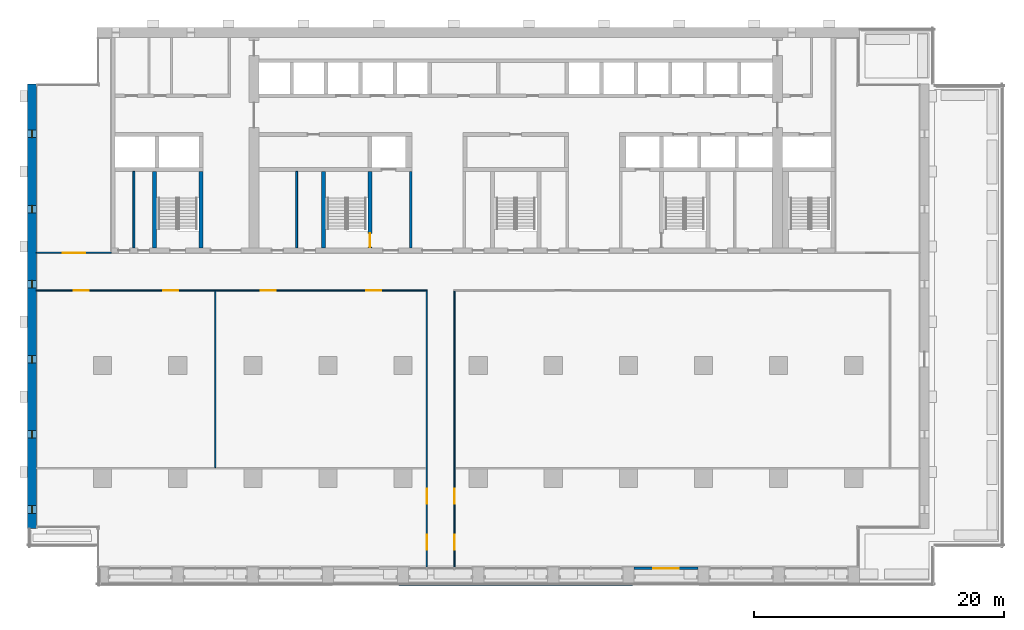
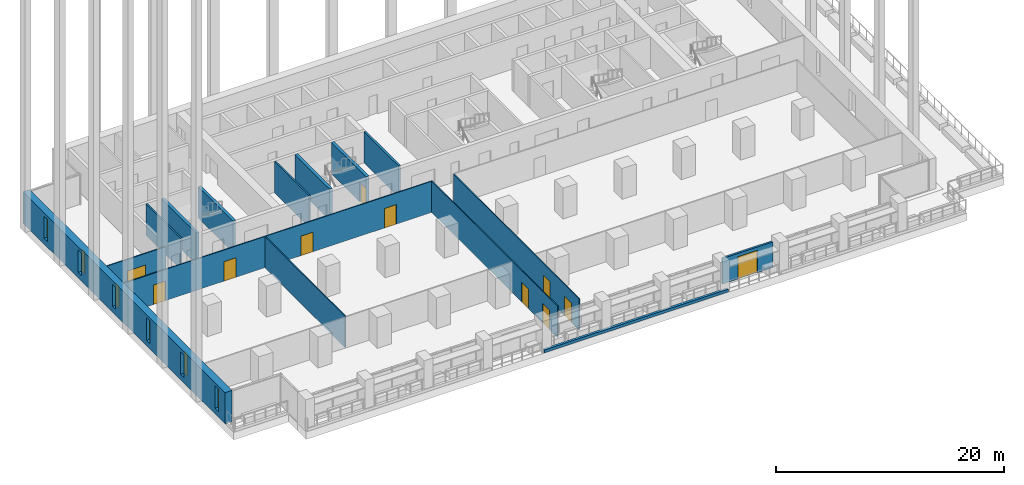
# One storey, part 8 of 18: 15 walls, 11 doors, 6 windows, 17 openings.
"""IFC4 building model written with IfcOpenShell, lengths in metres."""

from ifc_helpers import new_model, si_unit, direction, frame, frame_2d, origin, place, context, subcontext, project, spatial, rectangle, extrude, material, layer, layer_set, type_object, element, fill, save


model = new_model("IFC4")

# Units and contexts
model_context = context("Model", 3, precision=1e-05, world=origin(), true_north=direction((0.0, 1.0)))
body_context = subcontext(model_context, "Body", "Model", "MODEL_VIEW")
ifc_project = project(units=[si_unit("LENGTHUNIT", "METRE"), si_unit("AREAUNIT", "SQUARE_METRE"), si_unit("VOLUMEUNIT", "CUBIC_METRE"), si_unit("PLANEANGLEUNIT", "RADIAN"), si_unit("MASSUNIT", "GRAM", prefix="KILO")], contexts=[model_context])

# Site, building, storey
site_placement = place(None, origin())
site = spatial("IfcSite", under=ifc_project, at=site_placement, CompositionType="ELEMENT")
building_placement = place(site_placement, origin())
building = spatial("IfcBuilding", under=site, at=building_placement, Name="Calvaro Tower", CompositionType="ELEMENT")
storey_placement = place(building_placement, frame((0.0, 0.0, 95.0)))
storey = spatial("IfcBuildingStorey", under=building, at=storey_placement, Name="L23", CompositionType="ELEMENT", Elevation=95.0)

# Walls
ifc_material_1 = material(Name="Blockwork partition", Category="masonry")
ifc_layer_1 = layer(ifc_material_1, 0.14990234375)
ifc_layer_set_1 = layer_set([ifc_layer_1], Name="Blockwork partition")
wall_type_1 = type_object("IfcWallType", Name="Core partition 150 EI 60", PredefinedType="PARTITIONING", material=ifc_layer_set_1)
wall_1_placement = place(storey_placement, frame((8.5, 28.39990234375, 0.0), z_axis=(0.0, 0.0, 1.0), x_axis=(0.0, 1.0, 0.0)))
element("IfcWall", 1, at=wall_1_placement, inside=storey, type_object=wall_type_1, Name="Core partition", PredefinedType="PARTITIONING", context=body_context, shape_type="SweptSolid", body=[
    extrude(rectangle(XDim=6.10009765625, YDim=0.14990234375, at=frame_2d((3.050048828125, 0.0))), origin(), (0.0, 0.0, 1.0), 3.35009765625),
])
ifc_material_2 = material(Name="Blockwork partition", Category="masonry")
ifc_layer_2 = layer(ifc_material_2, 0.14990234375)
ifc_layer_set_2 = layer_set([ifc_layer_2], Name="Blockwork partition")
wall_type_2 = type_object("IfcWallType", Name="Core partition 150 REI 120", PredefinedType="PARTITIONING", material=ifc_layer_set_2)
wall_2_placement = place(storey_placement, frame((21.5, 28.39990234375, 0.0), z_axis=(0.0, 0.0, 1.0), x_axis=(0.0, 1.0, 0.0)))
element("IfcWall", 2, at=wall_2_placement, inside=storey, type_object=wall_type_2, Name="Core partition", PredefinedType="PARTITIONING", context=body_context, shape_type="SweptSolid", body=[
    extrude(rectangle(XDim=6.10009765625, YDim=0.14990234375, at=frame_2d((3.050048828125, 0.0))), origin(), (0.0, 0.0, 1.0), 3.35009765625),
])
ifc_material_3 = material(Name="Blockwork partition", Category="masonry")
ifc_layer_3 = layer(ifc_material_3, 0.199951171875)
ifc_layer_set_3 = layer_set([ifc_layer_3], Name="Blockwork partition")
wall_type_3 = type_object("IfcWallType", Name="Core partition 200 REI 120", PredefinedType="PARTITIONING", material=ifc_layer_set_3)
wall_3_placement = place(storey_placement, frame((30.60009765625, 28.39990234375, 0.0), z_axis=(0.0, 0.0, 1.0), x_axis=(0.0, 1.0, 0.0)))
element("IfcWall", 3, at=wall_3_placement, inside=storey, type_object=wall_type_3, Name="Core partition", PredefinedType="PARTITIONING", context=body_context, shape_type="SweptSolid", body=[
    extrude(rectangle(XDim=6.10009765625, YDim=0.199951171875, at=frame_2d((3.050048828125, 0.0))), origin(), (0.0, 0.0, 1.0), 3.35009765625),
])
ifc_material_4 = material(Name="Concrete C60/75", Category="concrete")
ifc_layer_4 = layer(ifc_material_4, 0.300048828125)
ifc_layer_set_4 = layer_set([ifc_layer_4], Name="Concrete C60/75")
wall_type_4 = type_object("IfcWallType", Name="Core wall C60/75 300", PredefinedType="SHEAR", material=ifc_layer_set_4)
for number, where, z_axis, x_axis, name in (
    (4, (10.14990234375, 28.39990234375, 0.0), (0.0, 0.0, 1.0), (0.0, 1.0, 0.0), "Core wall, stair enclosure"),
    (5, (13.85009765625, 28.39990234375, 0.0), (0.0, 0.0, 1.0), (0.0, 1.0, 0.0), "Core wall, stair enclosure"),
    (6, (23.64990234375, 28.39990234375, 0.0), (0.0, 0.0, 1.0), (0.0, 1.0, 0.0), "Core wall, stair enclosure"),
):
    element("IfcWall", number, at=place(storey_placement, frame(where, z_axis=z_axis, x_axis=x_axis)), inside=storey, type_object=wall_type_4, Name=name, PredefinedType="SHEAR", context=body_context, shape_type="SweptSolid", body=[
        extrude(rectangle(XDim=6.10009765625, YDim=0.300048828125, at=frame_2d((3.050048828125, 0.0))), origin(), (0.0, 0.0, 1.0), 3.35009765625),
    ])

# Wall, opening, door
wall_4_placement = place(storey_placement, frame((27.35009765625, 28.39990234375, 0.0), z_axis=(0.0, 0.0, 1.0), x_axis=(0.0, 1.0, 0.0)))
wall_4 = element("IfcWall", 7, at=wall_4_placement, inside=storey, type_object=wall_type_4, Name="Core wall, stair enclosure", PredefinedType="SHEAR", context=body_context, shape_type="SweptSolid", body=[
    extrude(rectangle(XDim=6.10009765625, YDim=0.300048828125, at=frame_2d((3.050048828125, 0.0))), origin(), (0.0, 0.0, 1.0), 3.35009765625),
])
opening_1_placement = place(wall_4_placement, frame((0.050048828125, 0.0, 0.0)))
opening_1 = element("IfcOpeningElement", 8, at=opening_1_placement, cuts=wall_4, Name="Opening FD11D", PredefinedType="OPENING", context=body_context, shape_type="SweptSolid", body=[
    extrude(rectangle(XDim=1.10009765625, YDim=2.10009765625, at=frame_2d((0.550048828125, 1.050048828125))), frame((0.0, 0.159912109375, 0.0), z_axis=(0.0, -1.0, 0.0), x_axis=(1.0, 0.0, 0.0)), (0.0, 0.0, 1.0), 0.320068359375),
])
ifc_material_5 = material(Name="Steel door set", Category="steel")
door_type_1 = type_object("IfcDoorType", Name="Fire door 1100 FD30S", OperationType="SINGLE_SWING_LEFT", PredefinedType="DOOR", material=ifc_material_5)
door_1_placement = place(opening_1_placement, origin())
door_1 = element("IfcDoor", 9, at=door_1_placement, inside=storey, type_object=door_type_1, Name="Fire door", OperationType="SINGLE_SWING_LEFT", OverallHeight=2.10009765625, OverallWidth=1.10009765625, PredefinedType="DOOR", context=body_context, shape_type="SweptSolid", body=[
    extrude(rectangle(XDim=1.10009765625, YDim=2.10009765625, at=frame_2d((0.550048828125, 1.050048828125))), frame((0.0, 0.02490234375, 0.0), z_axis=(0.0, -1.0, 0.0), x_axis=(1.0, 0.0, 0.0)), (0.0, 0.0, 1.0), 0.050048828125),
])
fill(opening_1, door_1)

# Wall, openings, windows
ifc_material_6 = material(Name="Concrete C60/75", Category="concrete")
ifc_layer_5 = layer(ifc_material_6, 0.699951171875)
ifc_layer_set_5 = layer_set([ifc_layer_5], Name="Concrete C60/75")
wall_type_5 = type_object("IfcWallType", Name="End wall 700 C60/75", PredefinedType="SHEAR", material=ifc_layer_set_5)
wall_5_placement = place(storey_placement, frame((0.35009765625, 6.0, 0.0), z_axis=(0.0, 0.0, 1.0), x_axis=(0.0, 1.0, 0.0)))
wall_5 = element("IfcWall", 10, at=wall_5_placement, inside=storey, type_object=wall_type_5, Name="End shear wall", PredefinedType="SHEAR", context=body_context, shape_type="SweptSolid", body=[
    extrude(rectangle(XDim=35.5, YDim=0.699951171875, at=frame_2d((17.75, 0.0))), origin(), (0.0, 0.0, 1.0), 3.35009765625),
])
opening_2_placement = place(wall_5_placement, frame((1.199951171875, 0.0, 0.60009765625)))
opening_2 = element("IfcOpeningElement", 11, at=opening_2_placement, cuts=wall_5, Name="Opening WW01", PredefinedType="OPENING", context=body_context, shape_type="SweptSolid", body=[
    extrude(rectangle(XDim=0.60009765625, YDim=2.39990234375, at=frame_2d((0.300048828125, 1.199951171875))), frame((0.0, 0.35986328125, 0.0), z_axis=(0.0, -1.0, 0.0), x_axis=(1.0, 0.0, 0.0)), (0.0, 0.0, 1.0), 0.719970703125),
])
opening_3_placement = place(wall_5_placement, frame((7.199951171875, 0.0, 0.60009765625)))
opening_3 = element("IfcOpeningElement", 12, at=opening_3_placement, cuts=wall_5, Name="Opening WW02", PredefinedType="OPENING", context=body_context, shape_type="SweptSolid", body=[
    extrude(rectangle(XDim=0.60009765625, YDim=2.39990234375, at=frame_2d((0.300048828125, 1.199951171875))), frame((0.0, 0.35986328125, 0.0), z_axis=(0.0, -1.0, 0.0), x_axis=(1.0, 0.0, 0.0)), (0.0, 0.0, 1.0), 0.719970703125),
])
opening_4_placement = place(wall_5_placement, frame((13.199951171875, 0.0, 0.60009765625)))
opening_4 = element("IfcOpeningElement", 13, at=opening_4_placement, cuts=wall_5, Name="Opening WW03", PredefinedType="OPENING", context=body_context, shape_type="SweptSolid", body=[
    extrude(rectangle(XDim=0.60009765625, YDim=2.39990234375, at=frame_2d((0.300048828125, 1.199951171875))), frame((0.0, 0.35986328125, 0.0), z_axis=(0.0, -1.0, 0.0), x_axis=(1.0, 0.0, 0.0)), (0.0, 0.0, 1.0), 0.719970703125),
])
opening_5_placement = place(wall_5_placement, frame((19.199951171875, 0.0, 0.60009765625)))
opening_5 = element("IfcOpeningElement", 14, at=opening_5_placement, cuts=wall_5, Name="Opening WW04", PredefinedType="OPENING", context=body_context, shape_type="SweptSolid", body=[
    extrude(rectangle(XDim=0.60009765625, YDim=2.39990234375, at=frame_2d((0.300048828125, 1.199951171875))), frame((0.0, 0.35986328125, 0.0), z_axis=(0.0, -1.0, 0.0), x_axis=(1.0, 0.0, 0.0)), (0.0, 0.0, 1.0), 0.719970703125),
])
opening_6_placement = place(wall_5_placement, frame((25.199951171875, 0.0, 0.60009765625)))
opening_6 = element("IfcOpeningElement", 15, at=opening_6_placement, cuts=wall_5, Name="Opening WW05", PredefinedType="OPENING", context=body_context, shape_type="SweptSolid", body=[
    extrude(rectangle(XDim=0.60009765625, YDim=2.39990234375, at=frame_2d((0.300048828125, 1.199951171875))), frame((0.0, 0.35986328125, 0.0), z_axis=(0.0, -1.0, 0.0), x_axis=(1.0, 0.0, 0.0)), (0.0, 0.0, 1.0), 0.719970703125),
])
opening_7_placement = place(wall_5_placement, frame((31.199951171875, 0.0, 0.60009765625)))
opening_7 = element("IfcOpeningElement", 16, at=opening_7_placement, cuts=wall_5, Name="Opening WW06", PredefinedType="OPENING", context=body_context, shape_type="SweptSolid", body=[
    extrude(rectangle(XDim=0.60009765625, YDim=2.39990234375, at=frame_2d((0.300048828125, 1.199951171875))), frame((0.0, 0.35986328125, 0.0), z_axis=(0.0, -1.0, 0.0), x_axis=(1.0, 0.0, 0.0)), (0.0, 0.0, 1.0), 0.719970703125),
])
ifc_material_7 = material(Name="Glass", Category="glass")
window_type = type_object("IfcWindowType", Name="Slit window 600 x 2400", PartitioningType="SINGLE_PANEL", PredefinedType="WINDOW", material=ifc_material_7)
window_1_placement = place(opening_2_placement, origin())
window_1 = element("IfcWindow", 17, at=window_1_placement, inside=storey, type_object=window_type, Name="Window WW01", OverallHeight=2.39990234375, OverallWidth=0.60009765625, PartitioningType="SINGLE_PANEL", PredefinedType="WINDOW", context=body_context, shape_type="SweptSolid", body=[
    extrude(rectangle(XDim=0.60009765625, YDim=2.39990234375, at=frame_2d((0.300048828125, 1.199951171875))), frame((0.0, 0.030029296875, 0.0), z_axis=(0.0, -1.0, 0.0), x_axis=(1.0, 0.0, 0.0)), (0.0, 0.0, 1.0), 0.06005859375),
])
fill(opening_2, window_1)
window_2_placement = place(opening_3_placement, origin())
window_2 = element("IfcWindow", 18, at=window_2_placement, inside=storey, type_object=window_type, Name="Window WW02", OverallHeight=2.39990234375, OverallWidth=0.60009765625, PartitioningType="SINGLE_PANEL", PredefinedType="WINDOW", context=body_context, shape_type="SweptSolid", body=[
    extrude(rectangle(XDim=0.60009765625, YDim=2.39990234375, at=frame_2d((0.300048828125, 1.199951171875))), frame((0.0, 0.030029296875, 0.0), z_axis=(0.0, -1.0, 0.0), x_axis=(1.0, 0.0, 0.0)), (0.0, 0.0, 1.0), 0.06005859375),
])
fill(opening_3, window_2)
window_3_placement = place(opening_4_placement, origin())
window_3 = element("IfcWindow", 19, at=window_3_placement, inside=storey, type_object=window_type, Name="Window WW03", OverallHeight=2.39990234375, OverallWidth=0.60009765625, PartitioningType="SINGLE_PANEL", PredefinedType="WINDOW", context=body_context, shape_type="SweptSolid", body=[
    extrude(rectangle(XDim=0.60009765625, YDim=2.39990234375, at=frame_2d((0.300048828125, 1.199951171875))), frame((0.0, 0.030029296875, 0.0), z_axis=(0.0, -1.0, 0.0), x_axis=(1.0, 0.0, 0.0)), (0.0, 0.0, 1.0), 0.06005859375),
])
fill(opening_4, window_3)
window_4_placement = place(opening_5_placement, origin())
window_4 = element("IfcWindow", 20, at=window_4_placement, inside=storey, type_object=window_type, Name="Window WW04", OverallHeight=2.39990234375, OverallWidth=0.60009765625, PartitioningType="SINGLE_PANEL", PredefinedType="WINDOW", context=body_context, shape_type="SweptSolid", body=[
    extrude(rectangle(XDim=0.60009765625, YDim=2.39990234375, at=frame_2d((0.300048828125, 1.199951171875))), frame((0.0, 0.030029296875, 0.0), z_axis=(0.0, -1.0, 0.0), x_axis=(1.0, 0.0, 0.0)), (0.0, 0.0, 1.0), 0.06005859375),
])
fill(opening_5, window_4)
window_5_placement = place(opening_6_placement, origin())
window_5 = element("IfcWindow", 21, at=window_5_placement, inside=storey, type_object=window_type, Name="Window WW05", OverallHeight=2.39990234375, OverallWidth=0.60009765625, PartitioningType="SINGLE_PANEL", PredefinedType="WINDOW", context=body_context, shape_type="SweptSolid", body=[
    extrude(rectangle(XDim=0.60009765625, YDim=2.39990234375, at=frame_2d((0.300048828125, 1.199951171875))), frame((0.0, 0.030029296875, 0.0), z_axis=(0.0, -1.0, 0.0), x_axis=(1.0, 0.0, 0.0)), (0.0, 0.0, 1.0), 0.06005859375),
])
fill(opening_6, window_5)
window_6_placement = place(opening_7_placement, origin())
window_6 = element("IfcWindow", 22, at=window_6_placement, inside=storey, type_object=window_type, Name="Window WW06", OverallHeight=2.39990234375, OverallWidth=0.60009765625, PartitioningType="SINGLE_PANEL", PredefinedType="WINDOW", context=body_context, shape_type="SweptSolid", body=[
    extrude(rectangle(XDim=0.60009765625, YDim=2.39990234375, at=frame_2d((0.300048828125, 1.199951171875))), frame((0.0, 0.030029296875, 0.0), z_axis=(0.0, -1.0, 0.0), x_axis=(1.0, 0.0, 0.0)), (0.0, 0.0, 1.0), 0.06005859375),
])
fill(opening_7, window_6)

# Wall, opening, door
ifc_material_8 = material(Name="Anodised aluminium", Category="aluminium")
ifc_layer_6 = layer(ifc_material_8, 0.199951171875)
ifc_layer_set_6 = layer_set([ifc_layer_6], Name="Anodised aluminium")
wall_type_6 = type_object("IfcWallType", Name="Insulated door wall 200", PredefinedType="SOLIDWALL", material=ifc_layer_set_6)
wall_6_placement = place(storey_placement, frame((48.449951171875, 2.800048828125, 0.0), z_axis=(0.0, 0.0, 1.0), x_axis=(1.0, 0.0, 0.0)))
wall_6 = element("IfcWall", 23, at=wall_6_placement, inside=storey, type_object=wall_type_6, Name="Door wall", PredefinedType="SOLIDWALL", context=body_context, shape_type="SweptSolid", body=[
    extrude(rectangle(XDim=5.10009765625, YDim=0.199951171875, at=frame_2d((2.550048828125, 0.0))), origin(), (0.0, 0.0, 1.0), 2.75),
])
opening_8_placement = place(wall_6_placement, frame((1.550048828125, 0.0, 0.0)))
opening_8 = element("IfcOpeningElement", 24, at=opening_8_placement, cuts=wall_6, Name="Opening DT14", PredefinedType="OPENING", context=body_context, shape_type="SweptSolid", body=[
    extrude(rectangle(XDim=2.0, YDim=2.39990234375, at=frame_2d((1.0, 1.199951171875))), frame((0.0, 0.10986328125, 0.0), z_axis=(0.0, -1.0, 0.0), x_axis=(1.0, 0.0, 0.0)), (0.0, 0.0, 1.0), 0.219970703125),
])
ifc_material_9 = material(Name="Glass", Category="glass")
door_type_2 = type_object("IfcDoorType", Name="Terrace door pair 2000 x 2400", OperationType="DOUBLE_DOOR_SINGLE_SWING", PredefinedType="DOOR", material=ifc_material_9)
door_2_placement = place(opening_8_placement, frame((2.0, 0.0, 0.0), z_axis=(0.0, 0.0, 1.0), x_axis=(-1.0, 0.0, 0.0)))
door_2 = element("IfcDoor", 25, at=door_2_placement, inside=storey, type_object=door_type_2, Name="Terrace door", OperationType="DOUBLE_DOOR_SINGLE_SWING", OverallHeight=2.39990234375, OverallWidth=2.0, PredefinedType="DOOR", context=body_context, shape_type="SweptSolid", body=[
    extrude(rectangle(XDim=2.0, YDim=2.39990234375, at=frame_2d((1.0, 1.199951171875))), frame((0.0, 0.02490234375, 0.0), z_axis=(0.0, -1.0, 0.0), x_axis=(1.0, 0.0, 0.0)), (0.0, 0.0, 1.0), 0.050048828125),
])
fill(opening_8, door_2)

# Wall, openings, doors
ifc_material_10 = material(Name="Plasterboard on steel studs", Category="steel")
ifc_layer_7 = layer(ifc_material_10, 0.10009765625)
ifc_layer_set_7 = layer_set([ifc_layer_7], Name="Plasterboard on steel studs")
wall_type_7 = type_object("IfcWallType", Name="Partition 100", PredefinedType="PARTITIONING", material=ifc_layer_set_7)
wall_7_placement = place(storey_placement, frame((0.699951171875, 25.0, 0.0), z_axis=(0.0, 0.0, 1.0), x_axis=(1.0, 0.0, 0.0)))
wall_7 = element("IfcWall", 26, at=wall_7_placement, inside=storey, type_object=wall_type_7, Name="Partition T41.W003", PredefinedType="PARTITIONING", context=body_context, shape_type="SweptSolid", body=[
    extrude(rectangle(XDim=31.25, YDim=0.10009765625, at=frame_2d((15.625, 0.0))), origin(), (0.0, 0.0, 1.0), 3.35009765625),
])
opening_9_placement = place(wall_7_placement, frame((2.97509765625, 0.0, 0.0)))
opening_9 = element("IfcOpeningElement", 27, at=opening_9_placement, cuts=wall_7, Name="Opening T41.005", PredefinedType="OPENING", context=body_context, shape_type="SweptSolid", body=[
    extrude(rectangle(XDim=1.199951171875, YDim=2.10009765625, at=frame_2d((0.60009765625, 1.050048828125))), frame((0.0, 0.06005859375, 0.0), z_axis=(0.0, -1.0, 0.0), x_axis=(1.0, 0.0, 0.0)), (0.0, 0.0, 1.0), 0.1201171875),
])
opening_10_placement = place(wall_7_placement, frame((10.125, 0.0, 0.0)))
opening_10 = element("IfcOpeningElement", 28, at=opening_10_placement, cuts=wall_7, Name="Opening T41.006", PredefinedType="OPENING", context=body_context, shape_type="SweptSolid", body=[
    extrude(rectangle(XDim=1.199951171875, YDim=2.10009765625, at=frame_2d((0.60009765625, 1.050048828125))), frame((0.0, 0.06005859375, 0.0), z_axis=(0.0, -1.0, 0.0), x_axis=(1.0, 0.0, 0.0)), (0.0, 0.0, 1.0), 0.1201171875),
])
opening_11_placement = place(wall_7_placement, frame((17.925048828125, 0.0, 0.0)))
opening_11 = element("IfcOpeningElement", 29, at=opening_11_placement, cuts=wall_7, Name="Opening T41.007", PredefinedType="OPENING", context=body_context, shape_type="SweptSolid", body=[
    extrude(rectangle(XDim=1.199951171875, YDim=2.10009765625, at=frame_2d((0.60009765625, 1.050048828125))), frame((0.0, 0.06005859375, 0.0), z_axis=(0.0, -1.0, 0.0), x_axis=(1.0, 0.0, 0.0)), (0.0, 0.0, 1.0), 0.1201171875),
])
opening_12_placement = place(wall_7_placement, frame((26.375, 0.0, 0.0)))
opening_12 = element("IfcOpeningElement", 30, at=opening_12_placement, cuts=wall_7, Name="Opening T41.008", PredefinedType="OPENING", context=body_context, shape_type="SweptSolid", body=[
    extrude(rectangle(XDim=1.199951171875, YDim=2.10009765625, at=frame_2d((0.60009765625, 1.050048828125))), frame((0.0, 0.06005859375, 0.0), z_axis=(0.0, -1.0, 0.0), x_axis=(1.0, 0.0, 0.0)), (0.0, 0.0, 1.0), 0.1201171875),
])
ifc_material_11 = material(Name="Timber", Category="wood")
door_type_3 = type_object("IfcDoorType", Name="Internal single door 1200 x 2100", OperationType="SINGLE_SWING_LEFT", PredefinedType="DOOR", material=ifc_material_11)
door_3_placement = place(opening_9_placement, origin())
door_3 = element("IfcDoor", 31, at=door_3_placement, inside=storey, type_object=door_type_3, Name="Door T41.005", OperationType="SINGLE_SWING_LEFT", OverallHeight=2.10009765625, OverallWidth=1.199951171875, PredefinedType="DOOR", context=body_context, shape_type="SweptSolid", body=[
    extrude(rectangle(XDim=1.199951171875, YDim=2.10009765625, at=frame_2d((0.60009765625, 1.050048828125))), frame((0.0, 0.02490234375, 0.0), z_axis=(0.0, -1.0, 0.0), x_axis=(1.0, 0.0, 0.0)), (0.0, 0.0, 1.0), 0.050048828125),
])
fill(opening_9, door_3)
door_4_placement = place(opening_10_placement, origin())
door_4 = element("IfcDoor", 32, at=door_4_placement, inside=storey, type_object=door_type_3, Name="Door T41.006", OperationType="SINGLE_SWING_LEFT", OverallHeight=2.10009765625, OverallWidth=1.199951171875, PredefinedType="DOOR", context=body_context, shape_type="SweptSolid", body=[
    extrude(rectangle(XDim=1.199951171875, YDim=2.10009765625, at=frame_2d((0.60009765625, 1.050048828125))), frame((0.0, 0.02490234375, 0.0), z_axis=(0.0, -1.0, 0.0), x_axis=(1.0, 0.0, 0.0)), (0.0, 0.0, 1.0), 0.050048828125),
])
fill(opening_10, door_4)
door_5_placement = place(opening_11_placement, origin())
door_5 = element("IfcDoor", 33, at=door_5_placement, inside=storey, type_object=door_type_3, Name="Door T41.007", OperationType="SINGLE_SWING_RIGHT", OverallHeight=2.10009765625, OverallWidth=1.199951171875, PredefinedType="DOOR", context=body_context, shape_type="SweptSolid", body=[
    extrude(rectangle(XDim=1.199951171875, YDim=2.10009765625, at=frame_2d((0.60009765625, 1.050048828125))), frame((0.0, 0.02490234375, 0.0), z_axis=(0.0, -1.0, 0.0), x_axis=(1.0, 0.0, 0.0)), (0.0, 0.0, 1.0), 0.050048828125),
])
fill(opening_11, door_5)
door_6_placement = place(opening_12_placement, origin())
door_6 = element("IfcDoor", 34, at=door_6_placement, inside=storey, type_object=door_type_3, Name="Door T41.008", OperationType="SINGLE_SWING_RIGHT", OverallHeight=2.10009765625, OverallWidth=1.199951171875, PredefinedType="DOOR", context=body_context, shape_type="SweptSolid", body=[
    extrude(rectangle(XDim=1.199951171875, YDim=2.10009765625, at=frame_2d((0.60009765625, 1.050048828125))), frame((0.0, 0.02490234375, 0.0), z_axis=(0.0, -1.0, 0.0), x_axis=(1.0, 0.0, 0.0)), (0.0, 0.0, 1.0), 0.050048828125),
])
fill(opening_12, door_6)

# Wall, opening, door
wall_8_placement = place(storey_placement, frame((0.699951171875, 28.0, 0.0), z_axis=(0.0, 0.0, 1.0), x_axis=(1.0, 0.0, 0.0)))
wall_8 = element("IfcWall", 35, at=wall_8_placement, inside=storey, type_object=wall_type_7, Name="Partition T41.W005", PredefinedType="PARTITIONING", context=body_context, shape_type="SweptSolid", body=[
    extrude(rectangle(XDim=6.0, YDim=0.10009765625, at=frame_2d((3.0, 0.0))), origin(), (0.0, 0.0, 1.0), 3.35009765625),
])
opening_13_placement = place(wall_8_placement, frame((2.10009765625, 0.0, 0.0)))
opening_13 = element("IfcOpeningElement", 36, at=opening_13_placement, cuts=wall_8, Name="Opening T41.011", PredefinedType="OPENING", context=body_context, shape_type="SweptSolid", body=[
    extrude(rectangle(XDim=1.800048828125, YDim=2.10009765625, at=frame_2d((0.89990234375, 1.050048828125))), frame((0.0, 0.06005859375, 0.0), z_axis=(0.0, -1.0, 0.0), x_axis=(1.0, 0.0, 0.0)), (0.0, 0.0, 1.0), 0.1201171875),
])
ifc_material_12 = material(Name="Timber", Category="wood")
door_type_4 = type_object("IfcDoorType", Name="Internal double door 1800 x 2100", OperationType="DOUBLE_DOOR_SINGLE_SWING", PredefinedType="DOOR", material=ifc_material_12)
door_7_placement = place(opening_13_placement, origin())
door_7 = element("IfcDoor", 37, at=door_7_placement, inside=storey, type_object=door_type_4, Name="Door T41.011", OperationType="DOUBLE_DOOR_SINGLE_SWING", OverallHeight=2.10009765625, OverallWidth=1.800048828125, PredefinedType="DOOR", context=body_context, shape_type="SweptSolid", body=[
    extrude(rectangle(XDim=1.800048828125, YDim=2.10009765625, at=frame_2d((0.89990234375, 1.050048828125))), frame((0.0, 0.02490234375, 0.0), z_axis=(0.0, -1.0, 0.0), x_axis=(1.0, 0.0, 0.0)), (0.0, 0.0, 1.0), 0.050048828125),
])
fill(opening_13, door_7)

# Wall
wall_9_placement = place(storey_placement, frame((15.0, 10.85009765625, 0.0), z_axis=(0.0, 0.0, 1.0), x_axis=(0.0, 1.0, 0.0)))
element("IfcWall", 38, at=wall_9_placement, inside=storey, type_object=wall_type_7, Name="Partition T41.W007", PredefinedType="PARTITIONING", context=body_context, shape_type="SweptSolid", body=[
    extrude(rectangle(XDim=14.099853515625, YDim=0.10009765625, at=frame_2d((7.0498046875, 0.0))), origin(), (0.0, 0.0, 1.0), 3.35009765625),
])

# Wall, openings, doors
wall_10_placement = place(storey_placement, frame((31.89990234375, 2.89990234375, 0.0), z_axis=(0.0, 0.0, 1.0), x_axis=(0.0, 1.0, 0.0)))
wall_10 = element("IfcWall", 39, at=wall_10_placement, inside=storey, type_object=wall_type_7, Name="Partition T41.W008", PredefinedType="PARTITIONING", context=body_context, shape_type="SweptSolid", body=[
    extrude(rectangle(XDim=22.050048828125, YDim=0.10009765625, at=frame_2d((11.02490234375, 0.0))), origin(), (0.0, 0.0, 1.0), 3.35009765625),
])
opening_14_placement = place(wall_10_placement, frame((1.375, 0.0, 0.0)))
opening_14 = element("IfcOpeningElement", 40, at=opening_14_placement, cuts=wall_10, Name="Opening T41.001", PredefinedType="OPENING", context=body_context, shape_type="SweptSolid", body=[
    extrude(rectangle(XDim=1.199951171875, YDim=2.10009765625, at=frame_2d((0.60009765625, 1.050048828125))), frame((0.0, 0.06005859375, 0.0), z_axis=(0.0, -1.0, 0.0), x_axis=(1.0, 0.0, 0.0)), (0.0, 0.0, 1.0), 0.1201171875),
])
opening_15_placement = place(wall_10_placement, frame((5.074951171875, 0.0, 0.0)))
opening_15 = element("IfcOpeningElement", 41, at=opening_15_placement, cuts=wall_10, Name="Opening T41.002", PredefinedType="OPENING", context=body_context, shape_type="SweptSolid", body=[
    extrude(rectangle(XDim=1.199951171875, YDim=2.10009765625, at=frame_2d((0.60009765625, 1.050048828125))), frame((0.0, 0.06005859375, 0.0), z_axis=(0.0, -1.0, 0.0), x_axis=(1.0, 0.0, 0.0)), (0.0, 0.0, 1.0), 0.1201171875),
])
door_8_placement = place(opening_14_placement, origin())
door_8 = element("IfcDoor", 42, at=door_8_placement, inside=storey, type_object=door_type_3, Name="Door T41.001", OperationType="SINGLE_SWING_LEFT", OverallHeight=2.10009765625, OverallWidth=1.199951171875, PredefinedType="DOOR", context=body_context, shape_type="SweptSolid", body=[
    extrude(rectangle(XDim=1.199951171875, YDim=2.10009765625, at=frame_2d((0.60009765625, 1.050048828125))), frame((0.0, 0.02490234375, 0.0), z_axis=(0.0, -1.0, 0.0), x_axis=(1.0, 0.0, 0.0)), (0.0, 0.0, 1.0), 0.050048828125),
])
fill(opening_14, door_8)
door_9_placement = place(opening_15_placement, origin())
door_9 = element("IfcDoor", 43, at=door_9_placement, inside=storey, type_object=door_type_3, Name="Door T41.002", OperationType="SINGLE_SWING_LEFT", OverallHeight=2.10009765625, OverallWidth=1.199951171875, PredefinedType="DOOR", context=body_context, shape_type="SweptSolid", body=[
    extrude(rectangle(XDim=1.199951171875, YDim=2.10009765625, at=frame_2d((0.60009765625, 1.050048828125))), frame((0.0, 0.02490234375, 0.0), z_axis=(0.0, -1.0, 0.0), x_axis=(1.0, 0.0, 0.0)), (0.0, 0.0, 1.0), 0.050048828125),
])
fill(opening_15, door_9)

wall_11_placement = place(storey_placement, frame((34.10009765625, 2.89990234375, 0.0), z_axis=(0.0, 0.0, 1.0), x_axis=(0.0, 1.0, 0.0)))
wall_11 = element("IfcWall", 44, at=wall_11_placement, inside=storey, type_object=wall_type_7, Name="Partition T41.W009", PredefinedType="PARTITIONING", context=body_context, shape_type="SweptSolid", body=[
    extrude(rectangle(XDim=22.050048828125, YDim=0.10009765625, at=frame_2d((11.02490234375, 0.0))), origin(), (0.0, 0.0, 1.0), 3.35009765625),
])
opening_16_placement = place(wall_11_placement, frame((1.375, 0.0, 0.0)))
opening_16 = element("IfcOpeningElement", 45, at=opening_16_placement, cuts=wall_11, Name="Opening T41.003", PredefinedType="OPENING", context=body_context, shape_type="SweptSolid", body=[
    extrude(rectangle(XDim=1.199951171875, YDim=2.10009765625, at=frame_2d((0.60009765625, 1.050048828125))), frame((0.0, 0.06005859375, 0.0), z_axis=(0.0, -1.0, 0.0), x_axis=(1.0, 0.0, 0.0)), (0.0, 0.0, 1.0), 0.1201171875),
])
opening_17_placement = place(wall_11_placement, frame((5.074951171875, 0.0, 0.0)))
opening_17 = element("IfcOpeningElement", 46, at=opening_17_placement, cuts=wall_11, Name="Opening T41.004", PredefinedType="OPENING", context=body_context, shape_type="SweptSolid", body=[
    extrude(rectangle(XDim=1.199951171875, YDim=2.10009765625, at=frame_2d((0.60009765625, 1.050048828125))), frame((0.0, 0.06005859375, 0.0), z_axis=(0.0, -1.0, 0.0), x_axis=(1.0, 0.0, 0.0)), (0.0, 0.0, 1.0), 0.1201171875),
])
door_10_placement = place(opening_16_placement, origin())
door_10 = element("IfcDoor", 47, at=door_10_placement, inside=storey, type_object=door_type_3, Name="Door T41.003", OperationType="SINGLE_SWING_LEFT", OverallHeight=2.10009765625, OverallWidth=1.199951171875, PredefinedType="DOOR", context=body_context, shape_type="SweptSolid", body=[
    extrude(rectangle(XDim=1.199951171875, YDim=2.10009765625, at=frame_2d((0.60009765625, 1.050048828125))), frame((0.0, 0.02490234375, 0.0), z_axis=(0.0, -1.0, 0.0), x_axis=(1.0, 0.0, 0.0)), (0.0, 0.0, 1.0), 0.050048828125),
])
fill(opening_16, door_10)
door_11_placement = place(opening_17_placement, origin())
door_11 = element("IfcDoor", 48, at=door_11_placement, inside=storey, type_object=door_type_3, Name="Door T41.004", OperationType="SINGLE_SWING_LEFT", OverallHeight=2.10009765625, OverallWidth=1.199951171875, PredefinedType="DOOR", context=body_context, shape_type="SweptSolid", body=[
    extrude(rectangle(XDim=1.199951171875, YDim=2.10009765625, at=frame_2d((0.60009765625, 1.050048828125))), frame((0.0, 0.02490234375, 0.0), z_axis=(0.0, -1.0, 0.0), x_axis=(1.0, 0.0, 0.0)), (0.0, 0.0, 1.0), 0.050048828125),
])
fill(opening_17, door_11)

# Wall
ifc_material_13 = material(Name="Concrete C40/50", Category="concrete")
ifc_layer_8 = layer(ifc_material_13, 0.199951171875, Name="Structure")
ifc_material_14 = material(Name="Reconstituted stone coping")
ifc_layer_9 = layer(ifc_material_14, 0.050048828125, Name="Finish")
ifc_layer_set_8 = layer_set([ifc_layer_8, ifc_layer_9], Name="Concrete C40/50")
wall_type_8 = type_object("IfcWallType", Name="Terrace edge kerb 250", PredefinedType="PARAPET", material=ifc_layer_set_8)
wall_12_placement = place(storey_placement, frame((29.675048828125, 1.550048828125, 0.0), z_axis=(0.0, 0.0, 1.0), x_axis=(1.0, 0.0, 0.0)))
element("IfcWall", 49, at=wall_12_placement, inside=storey, type_object=wall_type_8, Name="Terrace edge kerb", PredefinedType="PARAPET", context=body_context, shape_type="SweptSolid", body=[
    extrude(rectangle(XDim=18.64990234375, YDim=0.25, at=frame_2d((9.324951171875, 0.0))), origin(), (0.0, 0.0, 1.0), 0.300048828125),
])

save(model, "model.ifc")
